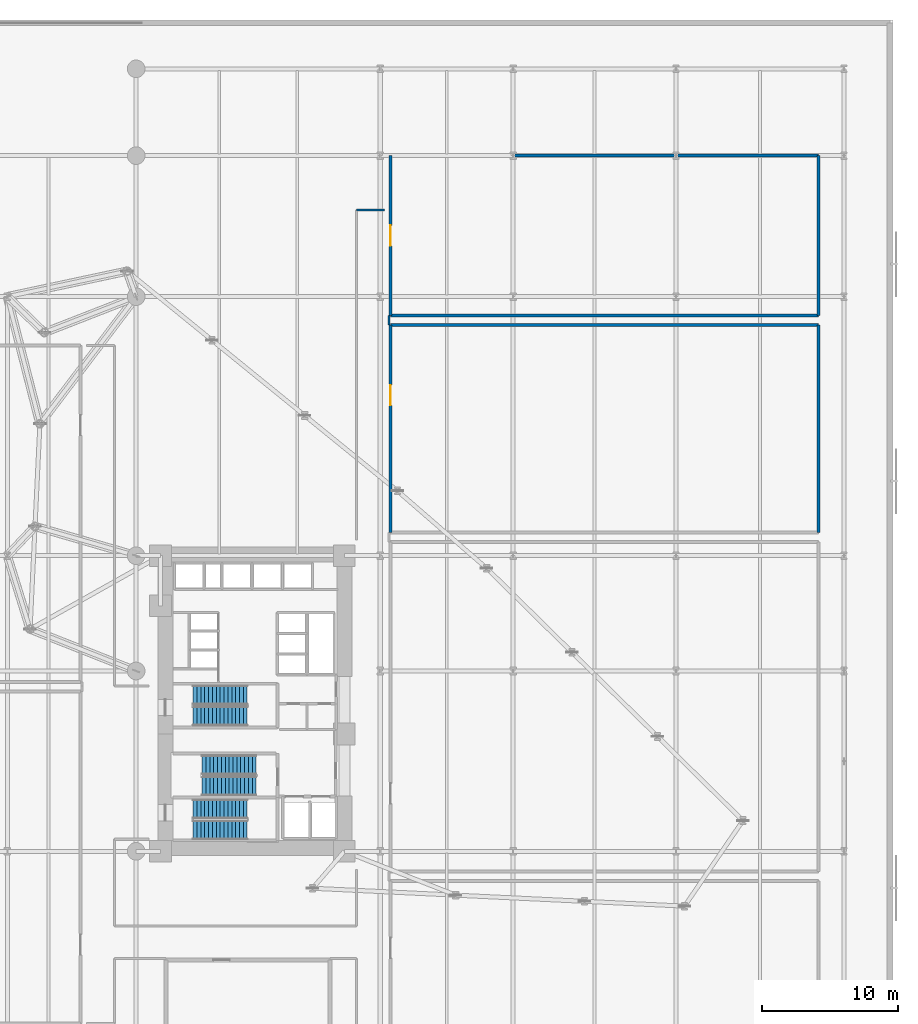
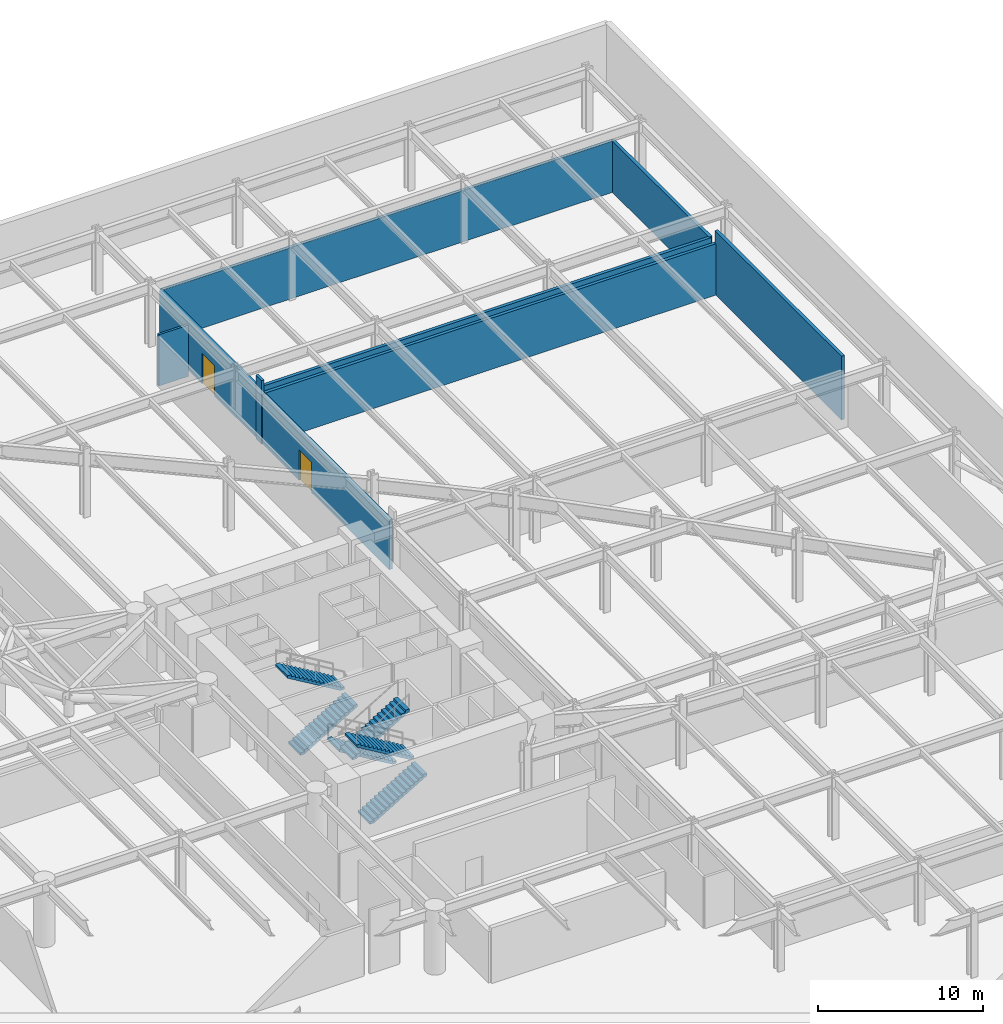
# One storey, part 28 of 40: 9 walls, 6 stair flights, 2 doors, 2 openings, 3 elements without a shape of their own.
"""IFC4 building model written with IfcOpenShell, lengths in metres."""

from ifc_helpers import new_model, si_unit, direction, frame, frame_2d, origin, place, context, subcontext, project, spatial, polyline, rectangle, outline, extrude, material, layer, layer_set, type_object, element, fill, aggregate, save


model = new_model("IFC4")

# Units and contexts
model_context = context("Model", 3, precision=1e-05, world=origin(), true_north=direction((0.0, 1.0)))
body_context = subcontext(model_context, "Body", "Model", "MODEL_VIEW")
ifc_project = project(units=[si_unit("LENGTHUNIT", "METRE"), si_unit("AREAUNIT", "SQUARE_METRE"), si_unit("VOLUMEUNIT", "CUBIC_METRE"), si_unit("PLANEANGLEUNIT", "RADIAN"), si_unit("MASSUNIT", "GRAM", prefix="KILO")], contexts=[model_context])

# Site, building, storey
site_placement = place(None, origin())
site = spatial("IfcSite", under=ifc_project, at=site_placement, CompositionType="ELEMENT")
building_placement = place(site_placement, origin())
building = spatial("IfcBuilding", under=site, at=building_placement, Name="Narakoshi Arena Tower", CompositionType="ELEMENT")
storey_placement = place(building_placement, frame((0.0, 0.0, 21.60009765625)))
storey = spatial("IfcBuildingStorey", under=building, at=storey_placement, Name="L05", CompositionType="ELEMENT", Elevation=21.60009765625)

# Walls
ifc_material_1 = material(Name="Concrete C40/50", Category="concrete")
ifc_layer_1 = layer(ifc_material_1, 0.219970703125)
ifc_layer_set_1 = layer_set([ifc_layer_1], Name="Concrete C40/50")
wall_type_1 = type_object("IfcWallType", Name="WL-COMP-220", PredefinedType="SOLIDWALL", material=ifc_layer_set_1)
wall_1_placement = place(storey_placement, frame((120.5, 58.199951171875, 0.0), z_axis=(0.0, 0.0, 1.0), x_axis=(0.0, 1.0, 0.0)))
element("IfcWall", 1, at=wall_1_placement, inside=storey, type_object=wall_type_1, Name="L05 Tower Low-Zone Heat Exchanger Chiller Room Wall E", PredefinedType="SOLIDWALL", context=body_context, shape_type="SweptSolid", body=[
    extrude(rectangle(XDim=15.300048828125, YDim=0.219970703125, at=frame_2d((7.64990234375, 0.0))), origin(), (0.0, 0.0, 1.0), 4.699951171875),
])
wall_2_placement = place(storey_placement, frame((120.5, 73.5, 0.0), z_axis=(0.0, 0.0, 1.0), x_axis=(-1.0, 0.0, 0.0)))
element("IfcWall", 2, at=wall_2_placement, inside=storey, type_object=wall_type_1, Name="L05 Tower Low-Zone Heat Exchanger Chiller Room Wall N", PredefinedType="SOLIDWALL", context=body_context, shape_type="SweptSolid", body=[
    extrude(rectangle(XDim=31.550048828125, YDim=0.219970703125, at=frame_2d((15.77490234375, 0.0))), origin(), (0.0, 0.0, 1.0), 3.784912109375),
])

# Wall, opening, door
wall_3_placement = place(storey_placement, frame((88.949951171875, 73.5, 0.0), z_axis=(0.0, 0.0, 1.0), x_axis=(0.0, -1.0, 0.0)))
wall_3 = element("IfcWall", 3, at=wall_3_placement, inside=storey, type_object=wall_type_1, Name="L05 Tower Low-Zone Heat Exchanger Chiller Room Wall W", PredefinedType="SOLIDWALL", context=body_context, shape_type="SweptSolid", body=[
    extrude(rectangle(XDim=15.300048828125, YDim=0.219970703125, at=frame_2d((7.64990234375, 0.0))), origin(), (0.0, 0.0, 1.0), 3.677001953125),
])
opening_1_placement = place(wall_3_placement, frame((4.416015625, 0.0, 0.0)))
opening_1 = element("IfcOpeningElement", 4, at=opening_1_placement, cuts=wall_3, Name="Opening D-09", PredefinedType="OPENING", context=body_context, shape_type="SweptSolid", body=[
    extrude(rectangle(XDim=1.5, YDim=2.25, at=frame_2d((0.75, 1.125))), frame((0.0, 0.119873046875, 0.0), z_axis=(0.0, -1.0, 0.0), x_axis=(1.0, 0.0, 0.0)), (0.0, 0.0, 1.0), 0.239990234375),
])
ifc_material_2 = material(Name="Painted galvanized steel", Category="steel")
door_type = type_object("IfcDoorType", Name="DR-PLT-1500", OperationType="DOUBLE_DOOR_SINGLE_SWING", PredefinedType="DOOR", material=ifc_material_2)
door_1_placement = place(opening_1_placement, frame((1.5, 0.0, 0.0), z_axis=(0.0, 0.0, 1.0), x_axis=(-1.0, 0.0, 0.0)))
door_1 = element("IfcDoor", 5, at=door_1_placement, inside=storey, type_object=door_type, Name="DR-L05-016", OperationType="DOUBLE_DOOR_SINGLE_SWING", OverallHeight=2.25, OverallWidth=1.5, PredefinedType="DOOR", context=body_context, shape_type="SweptSolid", body=[
    extrude(rectangle(XDim=1.5, YDim=2.25, at=frame_2d((0.75, 1.125))), frame((0.0, 0.02490234375, 0.0), z_axis=(0.0, -1.0, 0.0), x_axis=(1.0, 0.0, 0.0)), (0.0, 0.0, 1.0), 0.050048828125),
])
fill(opening_1, door_1)

# Walls
wall_4_placement = place(storey_placement, frame((88.949951171875, 74.199951171875, 0.0), z_axis=(0.0, 0.0, 1.0), x_axis=(1.0, 0.0, 0.0)))
element("IfcWall", 6, at=wall_4_placement, inside=storey, type_object=wall_type_1, Name="L05 Transfer Booster Pump and Sprinkler Tank Room Wall S", PredefinedType="SOLIDWALL", context=body_context, shape_type="SweptSolid", body=[
    extrude(rectangle(XDim=31.550048828125, YDim=0.219970703125, at=frame_2d((15.77490234375, 0.0))), origin(), (0.0, 0.0, 1.0), 3.784912109375),
])
wall_5_placement = place(storey_placement, frame((120.5, 74.199951171875, 0.0), z_axis=(0.0, 0.0, 1.0), x_axis=(0.0, 1.0, 0.0)))
element("IfcWall", 7, at=wall_5_placement, inside=storey, type_object=wall_type_1, Name="L05 Transfer Booster Pump and Sprinkler Tank Room Wall E", PredefinedType="SOLIDWALL", context=body_context, shape_type="SweptSolid", body=[
    extrude(rectangle(XDim=11.800048828125, YDim=0.219970703125, at=frame_2d((5.89990234375, 0.0))), origin(), (0.0, 0.0, 1.0), 3.784912109375),
])
wall_6_placement = place(storey_placement, frame((120.5, 86.0, 0.0), z_axis=(0.0, 0.0, 1.0), x_axis=(-1.0, 0.0, 0.0)))
element("IfcWall", 8, at=wall_6_placement, inside=storey, type_object=wall_type_1, Name="L05 Transfer Booster Pump and Sprinkler Tank Room Wall N", PredefinedType="SOLIDWALL", context=body_context, shape_type="SweptSolid", body=[
    extrude(rectangle(XDim=31.550048828125, YDim=0.219970703125, at=frame_2d((15.77490234375, 0.0))), origin(), (0.0, 0.0, 1.0), 3.784912109375),
])

# Wall, opening, door
wall_7_placement = place(storey_placement, frame((88.949951171875, 86.0, 0.0), z_axis=(0.0, 0.0, 1.0), x_axis=(0.0, -1.0, 0.0)))
wall_7 = element("IfcWall", 9, at=wall_7_placement, inside=storey, type_object=wall_type_1, Name="L05 Transfer Booster Pump and Sprinkler Tank Room Wall W", PredefinedType="SOLIDWALL", context=body_context, shape_type="SweptSolid", body=[
    extrude(rectangle(XDim=11.800048828125, YDim=0.219970703125, at=frame_2d((5.89990234375, 0.0))), origin(), (0.0, 0.0, 1.0), 3.784912109375),
])
opening_2_placement = place(wall_7_placement, frame((5.14990234375, 0.0, 0.0)))
opening_2 = element("IfcOpeningElement", 10, at=opening_2_placement, cuts=wall_7, Name="Opening D-09", PredefinedType="OPENING", context=body_context, shape_type="SweptSolid", body=[
    extrude(rectangle(XDim=1.5, YDim=2.25, at=frame_2d((0.75, 1.125))), frame((0.0, 0.119873046875, 0.0), z_axis=(0.0, -1.0, 0.0), x_axis=(1.0, 0.0, 0.0)), (0.0, 0.0, 1.0), 0.239990234375),
])
door_2_placement = place(opening_2_placement, frame((1.5, 0.0, 0.0), z_axis=(0.0, 0.0, 1.0), x_axis=(-1.0, 0.0, 0.0)))
door_2 = element("IfcDoor", 11, at=door_2_placement, inside=storey, type_object=door_type, Name="DR-L05-017", OperationType="DOUBLE_DOOR_SINGLE_SWING", OverallHeight=2.25, OverallWidth=1.5, PredefinedType="DOOR", context=body_context, shape_type="SweptSolid", body=[
    extrude(rectangle(XDim=1.5, YDim=2.25, at=frame_2d((0.75, 1.125))), frame((0.0, 0.02490234375, 0.0), z_axis=(0.0, -1.0, 0.0), x_axis=(1.0, 0.0, 0.0)), (0.0, 0.0, 1.0), 0.050048828125),
])
fill(opening_2, door_2)

# Walls
ifc_material_3 = material(Name="Gypsum plasterboard fire-rated partition")
ifc_layer_2 = layer(ifc_material_3, 0.1650390625)
ifc_layer_set_2 = layer_set([ifc_layer_2], Name="Gypsum plasterboard fire-rated partition")
wall_type_2 = type_object("IfcWallType", Name="WL-CORR-165", PredefinedType="PARTITIONING", material=ifc_layer_set_2)
wall_8_placement = place(storey_placement, frame((86.449951171875, 82.0, 0.0), z_axis=(0.0, 0.0, 1.0), x_axis=(1.0, 0.0, 0.0)))
element("IfcWall", 12, at=wall_8_placement, inside=storey, type_object=wall_type_2, Name="L05 Plant Corridor Enclosure 04-2", PredefinedType="PARTITIONING", context=body_context, shape_type="SweptSolid", body=[
    extrude(rectangle(XDim=2.070068359375, YDim=0.1650390625, at=frame_2d((1.03515625, 0.0))), origin(), (0.0, 0.0, 1.0), 3.784912109375),
])
wall_9_placement = place(storey_placement, frame((88.85009765625, 74.199951171875, 0.0), z_axis=(0.0, 0.0, 1.0), x_axis=(0.0, -1.0, 0.0)))
element("IfcWall", 13, at=wall_9_placement, inside=storey, type_object=wall_type_2, Name="L05 Plant Corridor Enclosure 05-1", PredefinedType="PARTITIONING", context=body_context, shape_type="SweptSolid", body=[
    extrude(rectangle(XDim=0.699951171875, YDim=0.1650390625, at=frame_2d((0.35009765625, 0.0))), origin(), (0.0, 0.0, 1.0), 4.699951171875),
])

# Stair, stair flights
ifc_material_4 = material(Name="Concrete C45/55", Category="concrete")
stair_type = type_object("IfcStairType", Name="STR-POD-510", PredefinedType="TWO_STRAIGHT_RUN_STAIR", material=ifc_material_4)
stair_1_placement = place(storey_placement, origin())
stair_1 = element("IfcStair", 14, at=stair_1_placement, inside=storey, type_object=stair_type, Name="L05 Core Escape Stair ST1", PredefinedType="TWO_STRAIGHT_RUN_STAIR")
ifc_material_5 = material(Name="Precast concrete C45/55", Category="concrete")
stair_flight_type = type_object("IfcStairFlightType", Name="FLT-160-150", PredefinedType="STRAIGHT", material=ifc_material_5)
stair_flight_1_placement = place(storey_placement, frame((74.39990234375, 36.27490234375, 0.0), z_axis=(0.0, 0.0, 1.0), x_axis=(1.0, 0.0, 0.0)))
stair_flight_1 = element("IfcStairFlight", 15, at=stair_flight_1_placement, type_object=stair_flight_type, Name="ST1 flight 1", NumberOfRisers=15, NumberOfTreads=14, PredefinedType="STRAIGHT", RiserHeight=0.17, TreadLength=0.285, context=body_context, shape_type="SweptSolid", body=[
    extrude(outline(polyline([(0.0, 0.0), (0.0, 0.169921875), (0.284912109375, 0.169921875), (0.284912109375, 0.340087890625), (0.570068359375, 0.340087890625), (0.570068359375, 0.510009765625), (0.85498046875, 0.510009765625), (0.85498046875, 0.679931640625), (1.139892578125, 0.679931640625), (1.139892578125, 0.85009765625), (1.425048828125, 0.85009765625), (1.425048828125, 1.02001953125), (1.7099609375, 1.02001953125), (1.7099609375, 1.18994140625), (1.9951171875, 1.18994140625), (1.9951171875, 1.360107421875), (2.280029296875, 1.360107421875), (2.280029296875, 1.530029296875), (2.56494140625, 1.530029296875), (2.56494140625, 1.699951171875), (2.85009765625, 1.699951171875), (2.85009765625, 1.8701171875), (3.135009765625, 1.8701171875), (3.135009765625, 2.0400390625), (3.419921875, 2.0400390625), (3.419921875, 2.2099609375), (3.705078125, 2.2099609375), (3.705078125, 2.3798828125), (3.989990234375, 2.3798828125), (3.989990234375, 2.550048828125), (3.989990234375, 2.20556640625), (0.292724609375, 0.0), (0.0, 0.0)])), frame((0.0, 0.72509765625, 0.0), z_axis=(0.0, -1.0, 0.0), x_axis=(1.0, 0.0, 0.0)), (0.0, 0.0, 1.0), 1.449951171875),
])
stair_flight_2_placement = place(storey_placement, frame((78.389892578125, 37.824951171875, 2.5498046875), z_axis=(0.0, 0.0, 1.0), x_axis=(-1.0, 0.0, 0.0)))
stair_flight_2 = element("IfcStairFlight", 16, at=stair_flight_2_placement, type_object=stair_flight_type, Name="ST1 flight 2", NumberOfRisers=15, NumberOfTreads=14, PredefinedType="STRAIGHT", RiserHeight=0.17, TreadLength=0.285, context=body_context, shape_type="SweptSolid", body=[
    extrude(outline(polyline([(0.0, 0.0), (0.0, 0.169921875), (0.284912109375, 0.169921875), (0.284912109375, 0.340087890625), (0.570068359375, 0.340087890625), (0.570068359375, 0.510009765625), (0.85498046875, 0.510009765625), (0.85498046875, 0.679931640625), (1.139892578125, 0.679931640625), (1.139892578125, 0.85009765625), (1.425048828125, 0.85009765625), (1.425048828125, 1.02001953125), (1.7099609375, 1.02001953125), (1.7099609375, 1.18994140625), (1.9951171875, 1.18994140625), (1.9951171875, 1.360107421875), (2.280029296875, 1.360107421875), (2.280029296875, 1.530029296875), (2.56494140625, 1.530029296875), (2.56494140625, 1.699951171875), (2.85009765625, 1.699951171875), (2.85009765625, 1.8701171875), (3.135009765625, 1.8701171875), (3.135009765625, 2.0400390625), (3.419921875, 2.0400390625), (3.419921875, 2.2099609375), (3.705078125, 2.2099609375), (3.705078125, 2.3798828125), (3.989990234375, 2.3798828125), (3.989990234375, 2.550048828125), (3.989990234375, 2.20556640625), (0.292724609375, 0.0), (0.0, 0.0)])), frame((0.0, 0.72509765625, 0.0), z_axis=(0.0, -1.0, 0.0), x_axis=(1.0, 0.0, 0.0)), (0.0, 0.0, 1.0), 1.449951171875),
])
aggregate(stair_1, [stair_flight_1, stair_flight_2])

stair_2_placement = place(storey_placement, origin())
stair_2 = element("IfcStair", 17, at=stair_2_placement, inside=storey, type_object=stair_type, Name="L05 Core Escape Stair ST2", PredefinedType="TWO_STRAIGHT_RUN_STAIR")
stair_flight_3_placement = place(storey_placement, frame((79.050048828125, 41.074951171875, 0.0), z_axis=(0.0, 0.0, 1.0), x_axis=(-1.0, 0.0, 0.0)))
stair_flight_3 = element("IfcStairFlight", 18, at=stair_flight_3_placement, type_object=stair_flight_type, Name="ST2 flight 1", NumberOfRisers=15, NumberOfTreads=14, PredefinedType="STRAIGHT", RiserHeight=0.17, TreadLength=0.285, context=body_context, shape_type="SweptSolid", body=[
    extrude(outline(polyline([(0.0, 0.0), (0.0, 0.169921875), (0.284912109375, 0.169921875), (0.284912109375, 0.340087890625), (0.570068359375, 0.340087890625), (0.570068359375, 0.510009765625), (0.85498046875, 0.510009765625), (0.85498046875, 0.679931640625), (1.139892578125, 0.679931640625), (1.139892578125, 0.85009765625), (1.425048828125, 0.85009765625), (1.425048828125, 1.02001953125), (1.7099609375, 1.02001953125), (1.7099609375, 1.18994140625), (1.9951171875, 1.18994140625), (1.9951171875, 1.360107421875), (2.280029296875, 1.360107421875), (2.280029296875, 1.530029296875), (2.56494140625, 1.530029296875), (2.56494140625, 1.699951171875), (2.85009765625, 1.699951171875), (2.85009765625, 1.8701171875), (3.135009765625, 1.8701171875), (3.135009765625, 2.0400390625), (3.419921875, 2.0400390625), (3.419921875, 2.2099609375), (3.705078125, 2.2099609375), (3.705078125, 2.3798828125), (3.989990234375, 2.3798828125), (3.989990234375, 2.550048828125), (3.989990234375, 2.20556640625), (0.292724609375, 0.0), (0.0, 0.0)])), frame((0.0, 0.72509765625, 0.0), z_axis=(0.0, -1.0, 0.0), x_axis=(1.0, 0.0, 0.0)), (0.0, 0.0, 1.0), 1.449951171875),
])
stair_flight_4_placement = place(storey_placement, frame((75.06005859375, 39.52490234375, 2.5498046875), z_axis=(0.0, 0.0, 1.0), x_axis=(1.0, 0.0, 0.0)))
stair_flight_4 = element("IfcStairFlight", 19, at=stair_flight_4_placement, type_object=stair_flight_type, Name="ST2 flight 2", NumberOfRisers=15, NumberOfTreads=14, PredefinedType="STRAIGHT", RiserHeight=0.17, TreadLength=0.285, context=body_context, shape_type="SweptSolid", body=[
    extrude(outline(polyline([(0.0, 0.0), (0.0, 0.169921875), (0.284912109375, 0.169921875), (0.284912109375, 0.340087890625), (0.570068359375, 0.340087890625), (0.570068359375, 0.510009765625), (0.85498046875, 0.510009765625), (0.85498046875, 0.679931640625), (1.139892578125, 0.679931640625), (1.139892578125, 0.85009765625), (1.425048828125, 0.85009765625), (1.425048828125, 1.02001953125), (1.7099609375, 1.02001953125), (1.7099609375, 1.18994140625), (1.9951171875, 1.18994140625), (1.9951171875, 1.360107421875), (2.280029296875, 1.360107421875), (2.280029296875, 1.530029296875), (2.56494140625, 1.530029296875), (2.56494140625, 1.699951171875), (2.85009765625, 1.699951171875), (2.85009765625, 1.8701171875), (3.135009765625, 1.8701171875), (3.135009765625, 2.0400390625), (3.419921875, 2.0400390625), (3.419921875, 2.2099609375), (3.705078125, 2.2099609375), (3.705078125, 2.3798828125), (3.989990234375, 2.3798828125), (3.989990234375, 2.550048828125), (3.989990234375, 2.20556640625), (0.292724609375, 0.0), (0.0, 0.0)])), frame((0.0, 0.72509765625, 0.0), z_axis=(0.0, -1.0, 0.0), x_axis=(1.0, 0.0, 0.0)), (0.0, 0.0, 1.0), 1.449951171875),
])
aggregate(stair_2, [stair_flight_3, stair_flight_4])

stair_3_placement = place(storey_placement, origin())
stair_3 = element("IfcStair", 20, at=stair_3_placement, inside=storey, type_object=stair_type, Name="L05 Core Escape Stair ST3", PredefinedType="TWO_STRAIGHT_RUN_STAIR")
stair_flight_5_placement = place(storey_placement, frame((74.39990234375, 44.675048828125, 0.0), z_axis=(0.0, 0.0, 1.0), x_axis=(1.0, 0.0, 0.0)))
stair_flight_5 = element("IfcStairFlight", 21, at=stair_flight_5_placement, type_object=stair_flight_type, Name="ST3 flight 1", NumberOfRisers=15, NumberOfTreads=14, PredefinedType="STRAIGHT", RiserHeight=0.17, TreadLength=0.285, context=body_context, shape_type="SweptSolid", body=[
    extrude(outline(polyline([(0.0, 0.0), (0.0, 0.169921875), (0.284912109375, 0.169921875), (0.284912109375, 0.340087890625), (0.570068359375, 0.340087890625), (0.570068359375, 0.510009765625), (0.85498046875, 0.510009765625), (0.85498046875, 0.679931640625), (1.139892578125, 0.679931640625), (1.139892578125, 0.85009765625), (1.425048828125, 0.85009765625), (1.425048828125, 1.02001953125), (1.7099609375, 1.02001953125), (1.7099609375, 1.18994140625), (1.9951171875, 1.18994140625), (1.9951171875, 1.360107421875), (2.280029296875, 1.360107421875), (2.280029296875, 1.530029296875), (2.56494140625, 1.530029296875), (2.56494140625, 1.699951171875), (2.85009765625, 1.699951171875), (2.85009765625, 1.8701171875), (3.135009765625, 1.8701171875), (3.135009765625, 2.0400390625), (3.419921875, 2.0400390625), (3.419921875, 2.2099609375), (3.705078125, 2.2099609375), (3.705078125, 2.3798828125), (3.989990234375, 2.3798828125), (3.989990234375, 2.550048828125), (3.989990234375, 2.20556640625), (0.292724609375, 0.0), (0.0, 0.0)])), frame((0.0, 0.72509765625, 0.0), z_axis=(0.0, -1.0, 0.0), x_axis=(1.0, 0.0, 0.0)), (0.0, 0.0, 1.0), 1.449951171875),
])
stair_flight_6_placement = place(storey_placement, frame((78.389892578125, 46.22509765625, 2.5498046875), z_axis=(0.0, 0.0, 1.0), x_axis=(-1.0, 0.0, 0.0)))
stair_flight_6 = element("IfcStairFlight", 22, at=stair_flight_6_placement, type_object=stair_flight_type, Name="ST3 flight 2", NumberOfRisers=15, NumberOfTreads=14, PredefinedType="STRAIGHT", RiserHeight=0.17, TreadLength=0.285, context=body_context, shape_type="SweptSolid", body=[
    extrude(outline(polyline([(0.0, 0.0), (0.0, 0.169921875), (0.284912109375, 0.169921875), (0.284912109375, 0.340087890625), (0.570068359375, 0.340087890625), (0.570068359375, 0.510009765625), (0.85498046875, 0.510009765625), (0.85498046875, 0.679931640625), (1.139892578125, 0.679931640625), (1.139892578125, 0.85009765625), (1.425048828125, 0.85009765625), (1.425048828125, 1.02001953125), (1.7099609375, 1.02001953125), (1.7099609375, 1.18994140625), (1.9951171875, 1.18994140625), (1.9951171875, 1.360107421875), (2.280029296875, 1.360107421875), (2.280029296875, 1.530029296875), (2.56494140625, 1.530029296875), (2.56494140625, 1.699951171875), (2.85009765625, 1.699951171875), (2.85009765625, 1.8701171875), (3.135009765625, 1.8701171875), (3.135009765625, 2.0400390625), (3.419921875, 2.0400390625), (3.419921875, 2.2099609375), (3.705078125, 2.2099609375), (3.705078125, 2.3798828125), (3.989990234375, 2.3798828125), (3.989990234375, 2.550048828125), (3.989990234375, 2.20556640625), (0.292724609375, 0.0), (0.0, 0.0)])), frame((0.0, 0.72509765625, 0.0), z_axis=(0.0, -1.0, 0.0), x_axis=(1.0, 0.0, 0.0)), (0.0, 0.0, 1.0), 1.449951171875),
])
aggregate(stair_3, [stair_flight_5, stair_flight_6])

save(model, "model.ifc")
